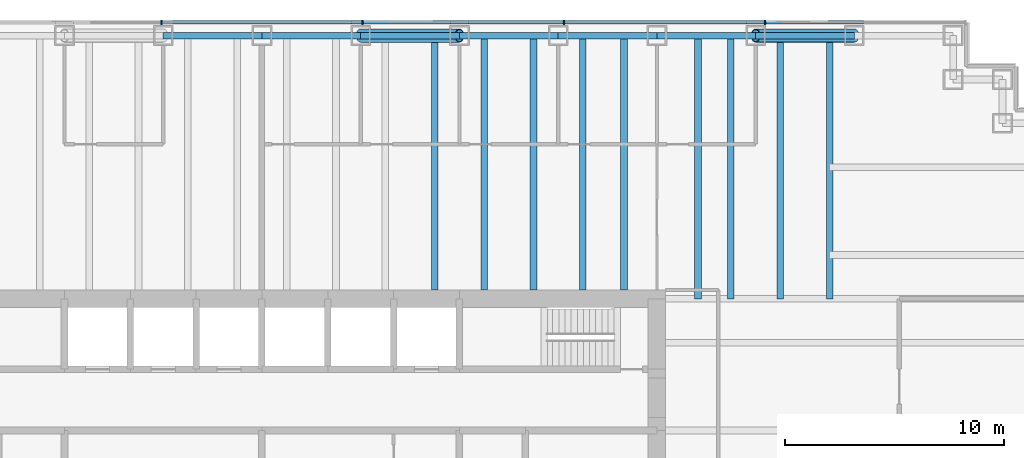
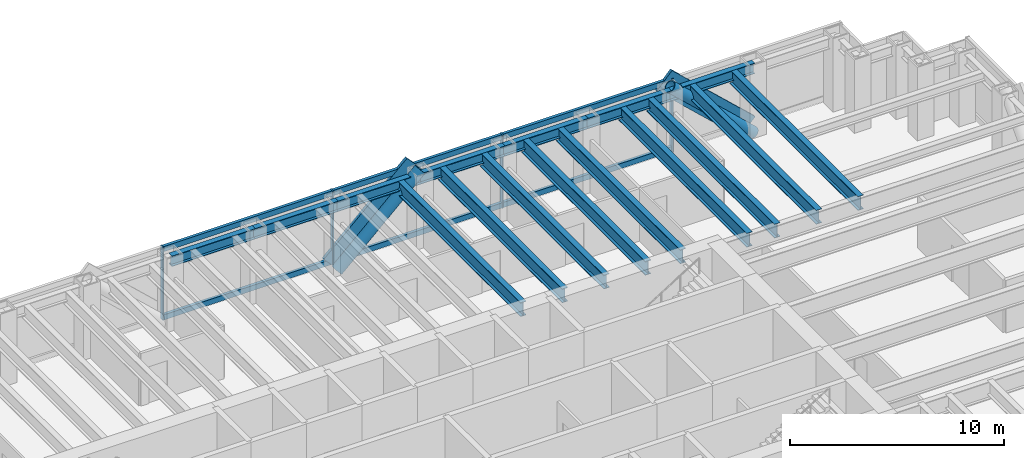
# One storey, part 7 of 15: 16 beams, 14 members, 1 element without a shape of its own.
"""IFC4 building model written with IfcOpenShell, lengths in metres."""

from ifc_helpers import new_model, si_unit, direction, frame, origin, origin_2d, place, context, subcontext, project, spatial, rectangle, hollow_circle, i_section, extrude, material, material_profile, profile_set, type_object, element, aggregate, save


model = new_model("IFC4")

# Units and contexts
model_context = context("Model", 3, precision=1e-05, world=origin(), true_north=direction((0.0, 1.0)))
body_context = subcontext(model_context, "Body", "Model", "MODEL_VIEW")
ifc_project = project(units=[si_unit("LENGTHUNIT", "METRE"), si_unit("AREAUNIT", "SQUARE_METRE"), si_unit("VOLUMEUNIT", "CUBIC_METRE"), si_unit("PLANEANGLEUNIT", "RADIAN"), si_unit("MASSUNIT", "GRAM", prefix="KILO")], contexts=[model_context])

# Site, building, storey
site_placement = place(None, origin())
site = spatial("IfcSite", under=ifc_project, at=site_placement, CompositionType="ELEMENT")
building_placement = place(site_placement, origin())
building = spatial("IfcBuilding", under=site, at=building_placement, Name="Rheinbord Bourse Tower", CompositionType="ELEMENT")
storey_placement = place(building_placement, frame((0.0, 0.0, 248.800048828125)))
storey = spatial("IfcBuildingStorey", under=building, at=storey_placement, Name="L56", CompositionType="ELEMENT", Elevation=248.800048828125)

# Curtain wall, members
ifc_material_1 = material(Name="Dark glass and black aluminium", Category="aluminium")
curtain_wall_type = type_object("IfcCurtainWallType", Name="CW2 DARK GLASS CURTAIN WALL", PredefinedType="USERDEFINED", material=ifc_material_1)
curtain_wall_placement = place(storey_placement, origin())
curtain_wall = element("IfcCurtainWall", 1, at=curtain_wall_placement, inside=storey, type_object=curtain_wall_type, Name="Curtain wall CW2 N L56", ObjectType="UNITISED CURTAIN WALL", PredefinedType="USERDEFINED")
ifc_material_2 = material(Name="Black anodised aluminium", Category="aluminium")
ifc_material_profile_1 = material_profile(ifc_material_2, rectangle(XDim=0.159912109375, YDim=1.2099609375, at=origin_2d()), Name="CW2 DIAGONAL MULLION 1210x160")
ifc_profile_set_1 = profile_set([ifc_material_profile_1], Name="Black anodised aluminium")
member_type_1 = type_object("IfcMemberType", Name="CW2 BLACK DIAGONAL MULLION", PredefinedType="USERDEFINED", material=ifc_profile_set_1)
member_1_placement = place(storey_placement, frame((63.0, 44.60009765625, 0.0), z_axis=(-0.73105922506, 0.0, 0.682314010889), x_axis=(0.0, -1.0, 0.0)))
member_1 = element("IfcMember", 2, at=member_1_placement, type_object=member_type_1, Name="CW2 diagonal mullion b", ObjectType="DIAGONAL MULLION", PredefinedType="USERDEFINED", context=body_context, shape_type="SweptSolid", body=[
    extrude(rectangle(XDim=0.159912109375, YDim=1.2099609375, at=origin_2d()), origin(), (0.0, 0.0, 1.0), 6.155517578125),
])
member_2_placement = place(storey_placement, frame((40.5, 44.60009765625, 0.0), z_axis=(0.73105922506, 0.0, 0.682314010889), x_axis=(0.0, 1.0, 0.0)))
member_2 = element("IfcMember", 3, at=member_2_placement, type_object=member_type_1, Name="CW2 diagonal mullion c", ObjectType="DIAGONAL MULLION", PredefinedType="USERDEFINED", context=body_context, shape_type="SweptSolid", body=[
    extrude(rectangle(XDim=0.159912109375, YDim=1.2099609375, at=origin_2d()), origin(), (0.0, 0.0, 1.0), 6.155517578125),
])
ifc_material_3 = material(Name="Black anodised aluminium", Category="aluminium")
ifc_material_profile_2 = material_profile(ifc_material_3, rectangle(XDim=0.219970703125, YDim=0.070068359375, at=origin_2d()), Name="CW2 MULLION 70x220")
ifc_profile_set_2 = profile_set([ifc_material_profile_2], Name="Black anodised aluminium")
member_type_2 = type_object("IfcMemberType", Name="CW2 BLACK MULLION", PredefinedType="MULLION", material=ifc_profile_set_2)
member_3_placement = place(storey_placement, frame((58.928466796875, 44.60009765625, 0.0), z_axis=(0.0, 0.0, 1.0), x_axis=(0.0, -1.0, 0.0)))
member_3 = element("IfcMember", 4, at=member_3_placement, type_object=member_type_2, Name="CW2 mullion 2", PredefinedType="MULLION", context=body_context, shape_type="SweptSolid", body=[
    extrude(rectangle(XDim=0.219970703125, YDim=0.070068359375, at=origin_2d()), origin(), (0.0, 0.0, 1.0), 4.199951171875),
])
member_4_placement = place(storey_placement, frame((49.757080078125, 44.60009765625, 0.0), z_axis=(0.0, 0.0, 1.0), x_axis=(0.0, -1.0, 0.0)))
member_4 = element("IfcMember", 5, at=member_4_placement, type_object=member_type_2, Name="CW2 mullion 3", PredefinedType="MULLION", context=body_context, shape_type="SweptSolid", body=[
    extrude(rectangle(XDim=0.219970703125, YDim=0.070068359375, at=origin_2d()), origin(), (0.0, 0.0, 1.0), 4.199951171875),
])
member_5_placement = place(storey_placement, frame((40.585693359375, 44.60009765625, 0.0), z_axis=(0.0, 0.0, 1.0), x_axis=(0.0, -1.0, 0.0)))
member_5 = element("IfcMember", 6, at=member_5_placement, type_object=member_type_2, Name="CW2 mullion 4", PredefinedType="MULLION", context=body_context, shape_type="SweptSolid", body=[
    extrude(rectangle(XDim=0.219970703125, YDim=0.070068359375, at=origin_2d()), origin(), (0.0, 0.0, 1.0), 4.199951171875),
])
member_6_placement = place(storey_placement, frame((31.414306640625, 44.60009765625, 0.0), z_axis=(0.0, 0.0, 1.0), x_axis=(0.0, -1.0, 0.0)))
member_6 = element("IfcMember", 7, at=member_6_placement, type_object=member_type_2, Name="CW2 mullion 5", PredefinedType="MULLION", context=body_context, shape_type="SweptSolid", body=[
    extrude(rectangle(XDim=0.219970703125, YDim=0.070068359375, at=origin_2d()), origin(), (0.0, 0.0, 1.0), 4.199951171875),
])
ifc_material_4 = material(Name="Black anodised aluminium", Category="aluminium")
ifc_material_profile_3 = material_profile(ifc_material_4, rectangle(XDim=0.159912109375, YDim=0.300048828125, at=origin_2d()), Name="CW2 TRANSOM 300x160")
ifc_profile_set_3 = profile_set([ifc_material_profile_3], Name="Black anodised aluminium")
member_type_3 = type_object("IfcMemberType", Name="CW2 BLACK TRANSOM", PredefinedType="USERDEFINED", material=ifc_profile_set_3)
member_7_placement = place(storey_placement, frame((58.8935546875, 44.60009765625, 0.14990234375), z_axis=(-1.0, 0.0, 0.0), x_axis=(0.0, -1.0, 0.0)))
member_7 = element("IfcMember", 8, at=member_7_placement, type_object=member_type_3, Name="CW2 transom 2.1", ObjectType="TRANSOM", PredefinedType="USERDEFINED", context=body_context, shape_type="SweptSolid", body=[
    extrude(rectangle(XDim=0.159912109375, YDim=0.300048828125, at=origin_2d()), origin(), (0.0, 0.0, 1.0), 9.101318359375),
])
member_8_placement = place(storey_placement, frame((58.8935546875, 44.60009765625, 4.050048828125), z_axis=(-1.0, 0.0, 0.0), x_axis=(0.0, -1.0, 0.0)))
member_8 = element("IfcMember", 9, at=member_8_placement, type_object=member_type_3, Name="CW2 transom 2.2", ObjectType="TRANSOM", PredefinedType="USERDEFINED", context=body_context, shape_type="SweptSolid", body=[
    extrude(rectangle(XDim=0.159912109375, YDim=0.300048828125, at=origin_2d()), origin(), (0.0, 0.0, 1.0), 9.101318359375),
])
member_9_placement = place(storey_placement, frame((49.72216796875, 44.60009765625, 0.14990234375), z_axis=(-1.0, 0.0, 0.0), x_axis=(0.0, -1.0, 0.0)))
member_9 = element("IfcMember", 10, at=member_9_placement, type_object=member_type_3, Name="CW2 transom 3.1", ObjectType="TRANSOM", PredefinedType="USERDEFINED", context=body_context, shape_type="SweptSolid", body=[
    extrude(rectangle(XDim=0.159912109375, YDim=0.300048828125, at=origin_2d()), origin(), (0.0, 0.0, 1.0), 9.1015625),
])
member_10_placement = place(storey_placement, frame((49.72216796875, 44.60009765625, 4.050048828125), z_axis=(-1.0, 0.0, 0.0), x_axis=(0.0, -1.0, 0.0)))
member_10 = element("IfcMember", 11, at=member_10_placement, type_object=member_type_3, Name="CW2 transom 3.2", ObjectType="TRANSOM", PredefinedType="USERDEFINED", context=body_context, shape_type="SweptSolid", body=[
    extrude(rectangle(XDim=0.159912109375, YDim=0.300048828125, at=origin_2d()), origin(), (0.0, 0.0, 1.0), 9.1015625),
])
member_11_placement = place(storey_placement, frame((40.55078125, 44.60009765625, 0.14990234375), z_axis=(-1.0, 0.0, 0.0), x_axis=(0.0, -1.0, 0.0)))
member_11 = element("IfcMember", 12, at=member_11_placement, type_object=member_type_3, Name="CW2 transom 4.1", ObjectType="TRANSOM", PredefinedType="USERDEFINED", context=body_context, shape_type="SweptSolid", body=[
    extrude(rectangle(XDim=0.159912109375, YDim=0.300048828125, at=origin_2d()), origin(), (0.0, 0.0, 1.0), 9.1015625),
])
member_12_placement = place(storey_placement, frame((40.55078125, 44.60009765625, 4.050048828125), z_axis=(-1.0, 0.0, 0.0), x_axis=(0.0, -1.0, 0.0)))
member_12 = element("IfcMember", 13, at=member_12_placement, type_object=member_type_3, Name="CW2 transom 4.2", ObjectType="TRANSOM", PredefinedType="USERDEFINED", context=body_context, shape_type="SweptSolid", body=[
    extrude(rectangle(XDim=0.159912109375, YDim=0.300048828125, at=origin_2d()), origin(), (0.0, 0.0, 1.0), 9.1015625),
])
aggregate(curtain_wall, [member_3, member_4, member_5, member_6, member_7, member_8, member_9, member_10, member_11, member_12, member_1, member_2])

# Beams
ifc_material_5 = material(Name="Steel S460", Category="steel")
ifc_material_profile_4 = material_profile(ifc_material_5, i_section(OverallWidth=0.300048828125, OverallDepth=0.800048828125, WebThickness=0.017578125, FlangeThickness=0.032958984375, at=origin_2d()), Name="HEB 800")
ifc_profile_set_4 = profile_set([ifc_material_profile_4], Name="Steel S460")
beam_type_1 = type_object("IfcBeamType", Name="FLOOR BEAM HEB 800", PredefinedType="BEAM", material=ifc_profile_set_4)
for number, where, z_axis, x_axis, name in (
    (14, (43.875, 44.0, 3.639892578125), (0.0, -1.0, 0.0), (1.0, 0.0, 0.0), "Floor beam N-40.5b L57"),
    (15, (46.125, 44.0, 3.639892578125), (0.0, -1.0, 0.0), (1.0, 0.0, 0.0), "Floor beam N-45a L57"),
    (16, (48.375, 44.0, 3.639892578125), (0.0, -1.0, 0.0), (1.0, 0.0, 0.0), "Floor beam N-45b L57"),
    (17, (50.625, 44.0, 3.639892578125), (0.0, -1.0, 0.0), (1.0, 0.0, 0.0), "Floor beam N-49.5a L57"),
    (18, (52.5, 44.0, 3.639892578125), (0.0, -1.0, 0.0), (1.0, 0.0, 0.0), "Floor beam N-49.5b L57"),
):
    element("IfcBeam", number, at=place(storey_placement, frame(where, z_axis=z_axis, x_axis=x_axis)), inside=storey, type_object=beam_type_1, Name=name, PredefinedType="BEAM", context=body_context, shape_type="SweptSolid", body=[
        extrude(i_section(OverallWidth=0.300048828125, OverallDepth=0.800048828125, WebThickness=0.017578125, FlangeThickness=0.032958984375, at=origin_2d()), origin(), (0.0, 0.0, 1.0), 11.60009765625),
    ])
for number, where, z_axis, x_axis, name in (
    (19, (55.875, 44.0, 3.639892578125), (0.0, -1.0, 0.0), (1.0, 0.0, 0.0), "Floor beam N-54a L57"),
    (20, (57.375, 44.0, 3.639892578125), (0.0, -1.0, 0.0), (1.0, 0.0, 0.0), "Floor beam N-54b L57"),
    (21, (59.625, 44.0, 3.639892578125), (0.0, -1.0, 0.0), (1.0, 0.0, 0.0), "Floor beam N-58.5a L57"),
    (22, (61.875, 44.0, 3.639892578125), (0.0, -1.0, 0.0), (1.0, 0.0, 0.0), "Floor beam N-58.5b L57"),
):
    element("IfcBeam", number, at=place(storey_placement, frame(where, z_axis=z_axis, x_axis=x_axis)), inside=storey, type_object=beam_type_1, Name=name, PredefinedType="BEAM", context=body_context, shape_type="SweptSolid", body=[
        extrude(i_section(OverallWidth=0.300048828125, OverallDepth=0.800048828125, WebThickness=0.017578125, FlangeThickness=0.032958984375, at=origin_2d()), origin(), (0.0, 0.0, 1.0), 12.0),
    ])

# Members
ifc_material_6 = material(Name="Steel S460", Category="steel")
ifc_material_profile_5 = material_profile(ifc_material_6, hollow_circle(Radius=0.304931640625, WallThickness=0.0400390625, at=origin_2d()), Name="CHS 610x40")
ifc_profile_set_5 = profile_set([ifc_material_profile_5], Name="Steel S460")
member_type_4 = type_object("IfcMemberType", Name="MEGABRACE CHS 610x40", PredefinedType="BRACE", material=ifc_profile_set_5)
for number, where, z_axis, x_axis, name in (
    (23, (63.0, 44.0, 0.0), (-0.73105922506, 0.0, 0.682314010889), (0.0, -1.0, 0.0), "Megabrace N face line b L56"),
    (24, (40.5, 44.0, 0.0), (0.73105922506, 0.0, 0.682314010889), (0.0, 1.0, 0.0), "Megabrace N face line c L56"),
):
    element("IfcMember", number, at=place(storey_placement, frame(where, z_axis=z_axis, x_axis=x_axis)), inside=storey, type_object=member_type_4, Name=name, PredefinedType="BRACE", context=body_context, shape_type="SweptSolid", body=[
        extrude(hollow_circle(Radius=0.304931640625, WallThickness=0.0400390625, at=origin_2d()), origin(), (0.0, 0.0, 1.0), 6.155517578125),
    ])

# Beams
ifc_material_7 = material(Name="Steel S460", Category="steel")
ifc_material_profile_6 = material_profile(ifc_material_7, i_section(OverallWidth=0.300048828125, OverallDepth=0.60009765625, WebThickness=0.015380859375, FlangeThickness=0.030029296875, at=origin_2d()), Name="HEB 600")
ifc_profile_set_6 = profile_set([ifc_material_profile_6], Name="Steel S460")
beam_type_2 = type_object("IfcBeamType", Name="SPANDREL HEB 600", PredefinedType="SPANDREL", material=ifc_profile_set_6)
for number, where, z_axis, x_axis, name in (
    (25, (63.0, 44.0, 3.739990234375), (-1.0, 0.0, 0.0), (0.0, -1.0, 0.0), "Spandrel N-63-N-58.5 under L57"),
    (26, (58.5, 44.0, 3.739990234375), (-1.0, 0.0, 0.0), (0.0, -1.0, 0.0), "Spandrel N-58.5-N-54 under L57"),
    (27, (54.0, 44.0, 3.739990234375), (-1.0, 0.0, 0.0), (0.0, -1.0, 0.0), "Spandrel N-54-N-49.5 under L57"),
    (28, (49.5, 44.0, 3.739990234375), (-1.0, 0.0, 0.0), (0.0, -1.0, 0.0), "Spandrel N-49.5-N-45 under L57"),
    (29, (45.0, 44.0, 3.739990234375), (-1.0, 0.0, 0.0), (0.0, -1.0, 0.0), "Spandrel N-45-N-40.5 under L57"),
    (30, (40.5, 44.0, 3.739990234375), (-1.0, 0.0, 0.0), (0.0, -1.0, 0.0), "Spandrel N-40.5-N-36 under L57"),
    (31, (36.0, 44.0, 3.739990234375), (-1.0, 0.0, 0.0), (0.0, -1.0, 0.0), "Spandrel N-36-N-31.5 under L57"),
):
    element("IfcBeam", number, at=place(storey_placement, frame(where, z_axis=z_axis, x_axis=x_axis)), inside=storey, type_object=beam_type_2, Name=name, PredefinedType="SPANDREL", context=body_context, shape_type="SweptSolid", body=[
        extrude(i_section(OverallWidth=0.300048828125, OverallDepth=0.60009765625, WebThickness=0.015380859375, FlangeThickness=0.030029296875, at=origin_2d()), origin(), (0.0, 0.0, 1.0), 4.5),
    ])

save(model, "model.ifc")
